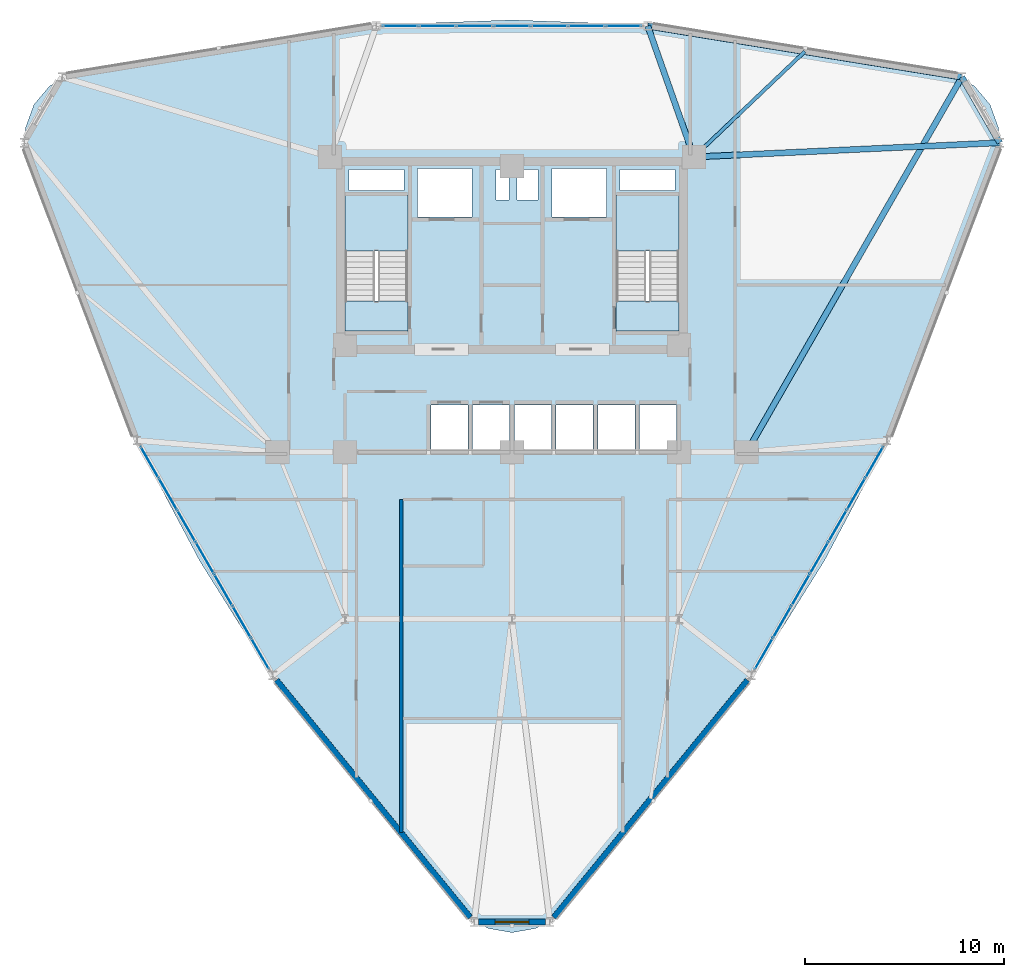
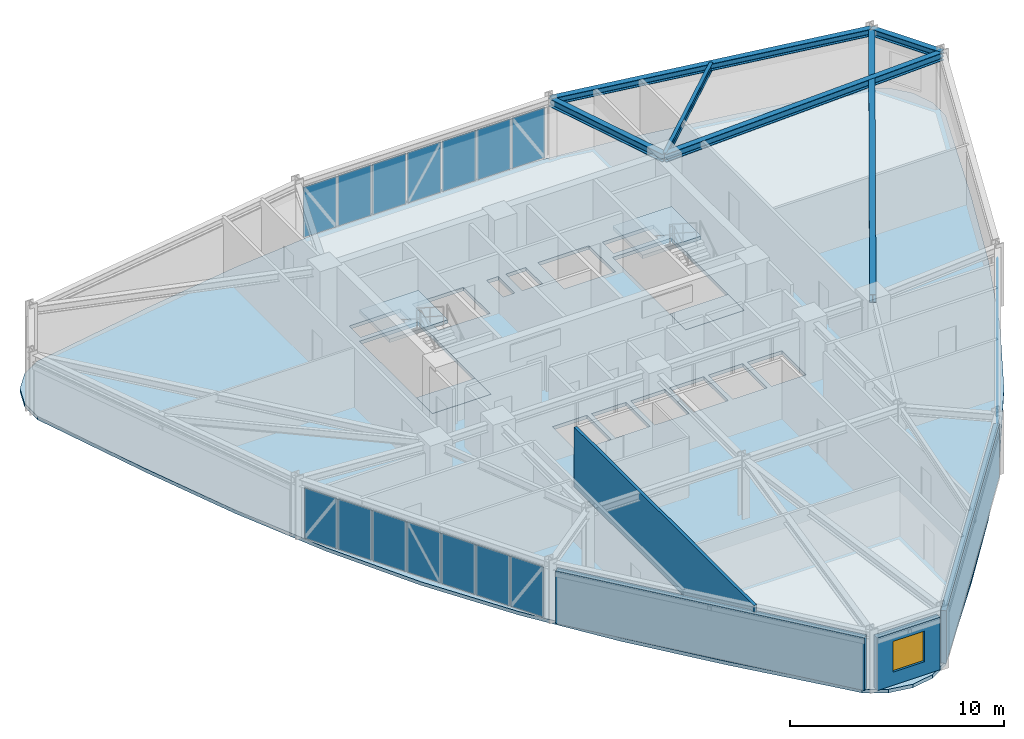
# One storey, part 9 of 17: 21 plates, 6 beams, 5 slabs, 4 walls, 1 window, 1 opening, 5 elements without a shape of their own.
"""IFC4 building model written with IfcOpenShell, lengths in metres."""

import ifcopenshell
import ifcopenshell.guid

model = None  # the IFC model being written
_history = None  # IfcOwnerHistory: only IFC2X3 demands one
_inside = {}  # id of a spatial element -> (the spatial element, [elements in it])
_under = {}  # id of a project, library or spatial element -> (it, [spatial elements below it])
_declared = {}  # id of a project -> (the project, [libraries it declares])
_typed = {}  # id of a type object -> (the type object, [elements of that type])
_made_of = {}  # id of a material, layer set ... -> (it, [elements and type objects made of it])


def new_model(schema):
    """Start an empty IFC model of exactly this schema.

    Asked for "IFC4X3", IfcOpenShell would pick the latest addendum, in which some entities
    have other attributes; the version numbers below select the first issue.
    IFC2X3 requires an IfcOwnerHistory on every rooted entity: one is made here for all.
    """
    global model, _history
    if schema == "IFC4X3":
        model = ifcopenshell.file(schema_version=(4, 3, 0, 0))
    else:
        model = ifcopenshell.file(schema=schema)
    _inside.clear()
    _under.clear()
    _declared.clear()
    _typed.clear()
    _made_of.clear()
    _history = None
    if model.schema == "IFC2X3":
        org = make("IfcOrganization", Name="unknown")
        user = make(
            "IfcPersonAndOrganization",
            ThePerson=make("IfcPerson", FamilyName="unknown"),
            TheOrganization=org,
        )
        app = make(
            "IfcApplication",
            ApplicationDeveloper=org,
            Version="unknown",
            ApplicationFullName="unknown",
            ApplicationIdentifier="unknown",
        )
        _history = make(
            "IfcOwnerHistory",
            OwningUser=user,
            OwningApplication=app,
            ChangeAction="ADDED",
            CreationDate=0,
        )
    return model


def make(cls, **values):
    """One entity of the class cls with the attributes given. An attribute that is None is left unset."""
    return model.create_entity(
        cls, **{name: value for name, value in values.items() if value is not None}
    )


def rooted(cls, **values):
    """An entity with a GlobalId (a new one), such as an element, a storey or a relation."""
    return make(cls, GlobalId=ifcopenshell.guid.new(), OwnerHistory=_history, **values)


def si_unit(unit_type, name, prefix=None):
    """IfcSIUnit, for example si_unit("LENGTHUNIT", "METRE", prefix="MILLI")."""
    return make("IfcSIUnit", UnitType=unit_type, Prefix=prefix, Name=name)


def derived_unit(unit_type, elements):
    """IfcDerivedUnit: a product of units, each with its exponent."""
    return make(
        "IfcDerivedUnit",
        Elements=[
            make("IfcDerivedUnitElement", Unit=unit, Exponent=power)
            for unit, power in elements
        ],
        UnitType=unit_type,
    )


def assignment(units):
    """IfcUnitAssignment: the units of a project."""
    return None if units is None else make("IfcUnitAssignment", Units=units)


def point(xyz):
    """IfcCartesianPoint."""
    return None if xyz is None else make("IfcCartesianPoint", Coordinates=xyz)


def direction(xyz):
    """IfcDirection."""
    return None if xyz is None else make("IfcDirection", DirectionRatios=xyz)


def frame(location, z_axis=None, x_axis=None):
    """IfcAxis2Placement3D, a coordinate frame: its origin and axes. An axis left out is left unset."""
    return make(
        "IfcAxis2Placement3D",
        Location=point(location),
        Axis=direction(z_axis),
        RefDirection=direction(x_axis),
    )


def frame_2d(location, x_axis=None):
    """IfcAxis2Placement2D, a coordinate frame in the plane: its origin and x axis."""
    return make(
        "IfcAxis2Placement2D", Location=point(location), RefDirection=direction(x_axis)
    )


def origin():
    """The frame at (0, 0, 0) with its axes left unset."""
    return frame((0.0, 0.0, 0.0))


def origin_2d():
    """The frame at (0, 0) in the plane with its x axis left unset."""
    return frame_2d((0.0, 0.0))


def place(relative_to, where):
    """IfcLocalPlacement: puts the frame where relative to a parent placement (None: the world)."""
    return make(
        "IfcLocalPlacement", PlacementRelTo=relative_to, RelativePlacement=where
    )


def context(
    kind, dimensions, precision=None, world=None, true_north=None, identifier=None
):
    """IfcGeometricRepresentationContext, for example the 3D "Model" context."""
    return make(
        "IfcGeometricRepresentationContext",
        ContextIdentifier=identifier,
        ContextType=kind,
        CoordinateSpaceDimension=dimensions,
        Precision=precision,
        WorldCoordinateSystem=world,
        TrueNorth=true_north,
    )


def subcontext(parent, identifier, kind, view, scale=None):
    """IfcGeometricRepresentationSubContext, for example "Body" below "Model"."""
    return make(
        "IfcGeometricRepresentationSubContext",
        ContextIdentifier=identifier,
        ContextType=kind,
        ParentContext=parent,
        TargetScale=scale,
        TargetView=view,
    )


def project(units=None, contexts=None):
    """IfcProject with its units and contexts."""
    return rooted(
        "IfcProject",
        Name="project",
        RepresentationContexts=contexts,
        UnitsInContext=assignment(units),
    )


def spatial(cls, under=None, at=None, **own):
    """A site, building, storey or space (cls), placed at a placement, below another one or the project."""
    s = rooted(cls, ObjectPlacement=at, **own)
    if under is not None:
        _under.setdefault(under.id(), (under, []))[1].append(s)
    return s


def polyline(points):
    """IfcPolyline through the points."""
    return make("IfcPolyline", Points=[point(p) for p in points])


def profile(cls, at=None, kind="AREA", **sizes):
    """A parametric profile (cls). Its sizes go by their IFC names, for example OverallWidth=200.0."""
    return make(cls, ProfileType=kind, Position=at, **sizes)


def rectangle(**sizes):
    """IfcRectangleProfileDef."""
    return profile("IfcRectangleProfileDef", **sizes)


def i_section(**sizes):
    """IfcIShapeProfileDef."""
    return profile("IfcIShapeProfileDef", **sizes)


def outline(outer, holes=None, kind="AREA"):
    """IfcArbitraryClosedProfileDef: a profile drawn as a closed curve; with holes, ...WithVoids."""
    if holes is None:
        return make("IfcArbitraryClosedProfileDef", ProfileType=kind, OuterCurve=outer)
    return make(
        "IfcArbitraryProfileDefWithVoids",
        ProfileType=kind,
        OuterCurve=outer,
        InnerCurves=holes,
    )


def extrude(swept, where, along, depth):
    """IfcExtrudedAreaSolid: the profile swept, set in the frame where, extruded along a direction by depth."""
    return make(
        "IfcExtrudedAreaSolid",
        SweptArea=swept,
        Position=where,
        ExtrudedDirection=direction(along),
        Depth=depth,
    )


def shape(context_of_items, identifier, shape_type, items):
    """IfcShapeRepresentation: the items that make up one representation, for example the "Body"."""
    return make(
        "IfcShapeRepresentation",
        ContextOfItems=context_of_items,
        RepresentationIdentifier=identifier,
        RepresentationType=shape_type,
        Items=items,
    )


def source(mapping_origin, context_of_items, identifier, shape_type, items):
    """IfcRepresentationMap: a shape defined once, which mapped items show again and again."""
    return make(
        "IfcRepresentationMap",
        MappingOrigin=mapping_origin,
        MappedRepresentation=shape(context_of_items, identifier, shape_type, items),
    )


def transform(
    local_origin,
    x_axis=None,
    y_axis=None,
    z_axis=None,
    scale=None,
    scale2=None,
    scale3=None,
    uniform=True,
):
    """IfcCartesianTransformationOperator3D, or its non-uniform kind. x_axis, y_axis, z_axis: its Axis1, 2, 3."""
    if uniform:
        return make(
            "IfcCartesianTransformationOperator3D",
            Axis1=direction(x_axis),
            Axis2=direction(y_axis),
            LocalOrigin=point(local_origin),
            Scale=scale,
            Axis3=direction(z_axis),
        )
    return make(
        "IfcCartesianTransformationOperator3DnonUniform",
        Axis1=direction(x_axis),
        Axis2=direction(y_axis),
        LocalOrigin=point(local_origin),
        Scale=scale,
        Axis3=direction(z_axis),
        Scale2=scale2,
        Scale3=scale3,
    )


def mapped(mapping_source, mapping_target):
    """IfcMappedItem: shows the shape of a source again, moved by a transform."""
    return make(
        "IfcMappedItem", MappingSource=mapping_source, MappingTarget=mapping_target
    )


def material(Name=None, Category=None):
    """IfcMaterial."""
    return make("IfcMaterial", Name=Name, Category=Category)


def layer(
    of_material, thickness, ventilated=None, Name=None, Category=None, Priority=None
):
    """IfcMaterialLayer: one layer of a wall or slab, of a material (None: an air gap)."""
    return make(
        "IfcMaterialLayer",
        Material=of_material,
        LayerThickness=thickness,
        IsVentilated=ventilated,
        Name=Name,
        Category=Category,
        Priority=Priority,
    )


def layer_set(layers, Name=None):
    """IfcMaterialLayerSet."""
    return make("IfcMaterialLayerSet", MaterialLayers=layers, LayerSetName=Name)


def material_profile(
    of_material, cross_section, Name=None, Category=None, Priority=None
):
    """IfcMaterialProfile: a cross section and its material."""
    return make(
        "IfcMaterialProfile",
        Name=Name,
        Material=of_material,
        Profile=cross_section,
        Priority=Priority,
        Category=Category,
    )


def profile_set(profiles, Name=None, composite=None):
    """IfcMaterialProfileSet."""
    return make(
        "IfcMaterialProfileSet",
        Name=Name,
        MaterialProfiles=profiles,
        CompositeProfile=composite,
    )


def made_of(thing, what):
    """Note that an element or type object is made of a material, layer set ...; save() writes the relation."""
    if what is not None:
        _made_of.setdefault(what.id(), (what, []))[1].append(thing)
    return thing


def type_object(cls, material=None, **own):
    """A type object (cls), such as IfcWallType, which elements share."""
    return made_of(rooted(cls, **own), material)


def element(
    cls,
    number,
    at=None,
    inside=None,
    cuts=None,
    type_object=None,
    material=None,
    context=None,
    identifier="Body",
    shape_type=None,
    held_by="IfcProductDefinitionShape",
    body=None,
    shapes=None,
    **own,
):
    """One element of the class cls, such as IfcWall. Its Tag is "e" and its number.

    at: its placement. inside: the storey or other place that contains it. cuts: it is an
    opening in that element (IfcRelVoidsElement). A single representation is given by context,
    identifier, shape_type and body (its items); several are given by shapes. held_by: the class
    of the entity that holds the representations. save() writes the other relations.
    """
    e = rooted(cls, Tag="e%d" % number, ObjectPlacement=at, **own)
    if body is not None:
        shapes = [shape(context, identifier, shape_type, body)]
    if shapes is not None:
        e.Representation = make(held_by, Representations=shapes)
    if inside is not None:
        _inside.setdefault(inside.id(), (inside, []))[1].append(e)
    if cuts is not None:
        rooted(
            "IfcRelVoidsElement", RelatingBuildingElement=cuts, RelatedOpeningElement=e
        )
    if type_object is not None:
        _typed.setdefault(type_object.id(), (type_object, []))[1].append(e)
    return made_of(e, material)


def fill(opening, filler):
    """IfcRelFillsElement: the door or window that sits in an opening."""
    return rooted(
        "IfcRelFillsElement",
        RelatingOpeningElement=opening,
        RelatedBuildingElement=filler,
    )


def aggregate(whole, parts):
    """IfcRelAggregates: a whole, such as a stair, and the parts it consists of."""
    return rooted("IfcRelAggregates", RelatingObject=whole, RelatedObjects=parts)


def save(model, path):
    """Write the relations noted so far, then the file.

    IfcRelAggregates (storeys below a building ...), IfcRelContainedInSpatialStructure (elements
    in a storey), IfcRelDefinesByType, IfcRelAssociatesMaterial and IfcRelDeclares: one each for
    every whole, place, type object, material and project.
    """
    for whole, parts in _under.values():
        aggregate(whole, parts)
    for where, things in _inside.values():
        rooted(
            "IfcRelContainedInSpatialStructure",
            RelatedElements=things,
            RelatingStructure=where,
        )
    for kind, things in _typed.values():
        rooted("IfcRelDefinesByType", RelatedObjects=things, RelatingType=kind)
    for what, things in _made_of.values():
        rooted("IfcRelAssociatesMaterial", RelatedObjects=things, RelatingMaterial=what)
    for by, libraries in _declared.values():
        rooted("IfcRelDeclares", RelatingContext=by, RelatedDefinitions=libraries)
    model.write(path)


model = new_model("IFC4")

# Units and contexts
model_context = context("Model", 3, precision=1e-05, world=origin(), true_north=direction((0.0, 1.0)))
body_context = subcontext(model_context, "Body", "Model", "MODEL_VIEW")
ifc_project = project(units=[si_unit("LENGTHUNIT", "METRE"), si_unit("AREAUNIT", "SQUARE_METRE"), si_unit("VOLUMEUNIT", "CUBIC_METRE"), si_unit("PLANEANGLEUNIT", "RADIAN"), si_unit("MASSUNIT", "GRAM", prefix="KILO"), derived_unit("THERMALTRANSMITTANCEUNIT", [(si_unit("POWERUNIT", "WATT"), 1), (si_unit("LENGTHUNIT", "METRE"), -2), (si_unit("THERMODYNAMICTEMPERATUREUNIT", "KELVIN"), -1)])], contexts=[model_context])

# Site, building, storey
site_placement = place(None, origin())
site = spatial("IfcSite", under=ifc_project, at=site_placement, CompositionType="ELEMENT")
building_placement = place(site_placement, origin())
building = spatial("IfcBuilding", under=site, at=building_placement, Name="Korsvarv Bourse and Concert Hall", CompositionType="ELEMENT")
storey_placement = place(building_placement, frame((0.0, 0.0, 120.60009765625)))
storey = spatial("IfcBuildingStorey", under=building, at=storey_placement, Name="L30", CompositionType="ELEMENT", Elevation=120.60009765625)

# Beams
ifc_material_1 = material(Name="Steel S355", Category="steel")
ifc_material_profile_1 = material_profile(ifc_material_1, i_section(OverallWidth=0.300048828125, OverallDepth=0.39990234375, WebThickness=0.013427734375, FlangeThickness=0.02392578125, FilletRadius=0.02099609375, at=origin_2d()), Name="HEB 400")
ifc_profile_set_1 = profile_set([ifc_material_profile_1], Name="Steel S355")
beam_type_1 = type_object("IfcBeamType", Name="BM-HEB400", PredefinedType="SPANDREL", material=ifc_profile_set_1)
shared_shape_1 = source(origin(), body_context, "Body", "SweptSolid", [
    extrude(i_section(OverallWidth=0.300048828125, OverallDepth=0.39990234375, WebThickness=0.013427734375, FlangeThickness=0.02392578125, FilletRadius=0.02099609375, at=origin_2d()), origin(), (0.0, 0.0, 1.0), 3.81591796875),
])
beam_1_placement = place(storey_placement, frame((60.541748046875, 47.966064453125, 3.199951171875), z_axis=(-0.499999364504, 0.866025770688, 0.0), x_axis=(-0.866025770688, -0.499999364504, 0.0)))
element("IfcBeam", 1, at=beam_1_placement, inside=storey, type_object=beam_type_1, Name="L30 beam B-09", PredefinedType="SPANDREL", context=body_context, shape_type="MappedRepresentation", body=[
    mapped(shared_shape_1, transform((0.0, 0.0, 0.0), scale=1.0)),
])
shared_shape_2 = source(origin(), body_context, "Body", "SweptSolid", [
    extrude(i_section(OverallWidth=0.300048828125, OverallDepth=0.39990234375, WebThickness=0.013427734375, FlangeThickness=0.02392578125, FilletRadius=0.02099609375, at=origin_2d()), origin(), (0.0, 0.0, 1.0), 16.014892578125),
])
beam_2_placement = place(storey_placement, frame((58.6337890625, 51.270751953125, 3.199951171875), z_axis=(-0.98703396265, 0.160511546547, 0.0), x_axis=(-0.160511546547, -0.98703396265, 0.0)))
element("IfcBeam", 2, at=beam_2_placement, inside=storey, type_object=beam_type_1, Name="L30 beam B-09", PredefinedType="SPANDREL", context=body_context, shape_type="MappedRepresentation", body=[
    mapped(shared_shape_2, transform((0.0, 0.0, 0.0), scale=1.0)),
])
ifc_material_profile_2 = material_profile(ifc_material_1, i_section(OverallWidth=0.300048828125, OverallDepth=0.449951171875, WebThickness=0.013916015625, FlangeThickness=0.02587890625, FilletRadius=0.02099609375, at=origin_2d()), Name="HEB 450")
ifc_profile_set_2 = profile_set([ifc_material_profile_2], Name="Steel S355")
beam_type_2 = type_object("IfcBeamType", Name="BM-HEB450", PredefinedType="SPANDREL", material=ifc_profile_set_2)
shared_shape_3 = source(origin(), body_context, "Body", "SweptSolid", [
    extrude(i_section(OverallWidth=0.300048828125, OverallDepth=0.449951171875, WebThickness=0.013916015625, FlangeThickness=0.02587890625, FilletRadius=0.02099609375, at=origin_2d()), origin(), (0.0, 0.0, 1.0), 15.408447265625),
])
beam_3_placement = place(storey_placement, frame((60.541748046875, 47.966064453125, 3.1748046875), z_axis=(-0.998919590077, -0.046472062141, 0.0), x_axis=(0.046472062141, -0.998919590077, 0.0)))
element("IfcBeam", 3, at=beam_3_placement, inside=storey, type_object=beam_type_2, Name="L30 beam B-08", PredefinedType="SPANDREL", context=body_context, shape_type="MappedRepresentation", body=[
    mapped(shared_shape_3, transform((0.0, 0.0, 0.0), scale=1.0)),
])
shared_shape_4 = source(origin(), body_context, "Body", "SweptSolid", [
    extrude(i_section(OverallWidth=0.300048828125, OverallDepth=0.449951171875, WebThickness=0.013916015625, FlangeThickness=0.02587890625, FilletRadius=0.02099609375, at=origin_2d()), origin(), (0.0, 0.0, 1.0), 21.759521484375),
])
beam_4_placement = place(storey_placement, frame((58.6337890625, 51.270751953125, 3.1748046875), z_axis=(-0.497883927271, -0.867243676809, 0.0), x_axis=(0.867243676809, -0.497883927271, 0.0)))
element("IfcBeam", 4, at=beam_4_placement, inside=storey, type_object=beam_type_2, Name="L30 beam B-08", PredefinedType="SPANDREL", context=body_context, shape_type="MappedRepresentation", body=[
    mapped(shared_shape_4, transform((0.0, 0.0, 0.0), scale=1.0)),
])
shared_shape_5 = source(origin(), body_context, "Body", "SweptSolid", [
    extrude(i_section(OverallWidth=0.300048828125, OverallDepth=0.449951171875, WebThickness=0.013916015625, FlangeThickness=0.02587890625, FilletRadius=0.02099609375, at=origin_2d()), origin(), (0.0, 0.0, 1.0), 6.98876953125),
])
beam_5_placement = place(storey_placement, frame((42.82666015625, 53.84130859375, 3.1748046875), z_axis=(0.332425395901, -0.943129554282, 0.0), x_axis=(0.943129554282, 0.332425395901, 0.0)))
element("IfcBeam", 5, at=beam_5_placement, inside=storey, type_object=beam_type_2, Name="L30 beam B-08", PredefinedType="SPANDREL", context=body_context, shape_type="MappedRepresentation", body=[
    mapped(shared_shape_5, transform((0.0, 0.0, 0.0), scale=1.0)),
])
ifc_material_profile_3 = material_profile(ifc_material_1, i_section(OverallWidth=0.179931640625, OverallDepth=0.39990234375, WebThickness=0.008544921875, FlangeThickness=0.013427734375, FilletRadius=0.02099609375, at=origin_2d()), Name="IPE 400")
ifc_profile_set_3 = profile_set([ifc_material_profile_3], Name="Steel S355")
beam_type_3 = type_object("IfcBeamType", Name="BM-IPE400", PredefinedType="JOIST", material=ifc_profile_set_3)
shared_shape_6 = source(origin(), body_context, "Body", "SweptSolid", [
    extrude(i_section(OverallWidth=0.179931640625, OverallDepth=0.39990234375, WebThickness=0.008544921875, FlangeThickness=0.013427734375, FilletRadius=0.02099609375, at=origin_2d()), origin(), (0.0, 0.0, 1.0), 7.7001953125),
])
beam_6_placement = place(storey_placement, frame((50.730224609375, 52.555908203125, 3.199951171875), z_axis=(-0.724700930446, -0.689063539458, 0.0), x_axis=(0.689063539458, -0.724700930446, 0.0)))
element("IfcBeam", 6, at=beam_6_placement, inside=storey, type_object=beam_type_3, Name="L30 beam J-05", PredefinedType="JOIST", context=body_context, shape_type="MappedRepresentation", body=[
    mapped(shared_shape_6, transform((0.0, 0.0, 0.0), scale=1.0)),
])

# Slabs
ifc_material_2 = material(Name="Precast concrete C45/55", Category="concrete")
ifc_layer_1 = layer(ifc_material_2, 0.199951171875)
ifc_layer_set_1 = layer_set([ifc_layer_1], Name="Precast concrete C45/55")
slab_type_1 = type_object("IfcSlabType", Name="SLB-FLND-T", PredefinedType="LANDING", material=ifc_layer_set_1)
slab_1_placement = place(storey_placement, frame((0.0, 0.0, -0.2001953125)))
element("IfcSlab", 7, at=slab_1_placement, inside=storey, type_object=slab_type_1, Name="L30 Stair ST-T1 Floor Landing Slab", PredefinedType="LANDING", context=body_context, shape_type="SweptSolid", body=[
    extrude(outline(polyline([(30.760009765625, 38.5), (30.760009765625, 40.0), (27.60009765625, 40.0), (27.60009765625, 38.5), (30.760009765625, 38.5)])), origin(), (0.0, 0.0, 1.0), 0.2001953125),
])
slab_2_placement = place(storey_placement, frame((0.0, 0.0, -0.2001953125)))
element("IfcSlab", 8, at=slab_2_placement, inside=storey, type_object=slab_type_1, Name="L30 Stair ST-T2 Floor Landing Slab", PredefinedType="LANDING", context=body_context, shape_type="SweptSolid", body=[
    extrude(outline(polyline([(44.39990234375, 38.5), (44.39990234375, 40.0), (41.239990234375, 40.0), (41.239990234375, 38.5), (44.39990234375, 38.5)])), origin(), (0.0, 0.0, 1.0), 0.2001953125),
])

# Stair, slab
stair_type = type_object("IfcStairType", Name="STR-TYPE-04", PredefinedType="HALF_TURN_STAIR", material=ifc_material_2)
stair_1_placement = place(storey_placement, origin())
stair_1 = element("IfcStair", 9, at=stair_1_placement, inside=storey, type_object=stair_type, Name="L30 Tower West Exit Stair ST-T1", PredefinedType="HALF_TURN_STAIR")
ifc_layer_2 = layer(ifc_material_2, 0.199951171875)
ifc_layer_set_2 = layer_set([ifc_layer_2], Name="Precast concrete C45/55")
slab_type_2 = type_object("IfcSlabType", Name="SLB-ST-LND", PredefinedType="LANDING", material=ifc_layer_set_2)
slab_3_placement = place(storey_placement, frame((0.0, 0.0, 1.599853515625)))
slab_3 = element("IfcSlab", 10, at=slab_3_placement, type_object=slab_type_2, Name="ST-T1 landing 1", PredefinedType="LANDING", context=body_context, shape_type="SweptSolid", body=[
    extrude(outline(polyline([(30.760009765625, 42.52001953125), (30.760009765625, 45.300048828125), (27.60009765625, 45.300048828125), (27.60009765625, 42.52001953125), (30.760009765625, 42.52001953125)])), origin(), (0.0, 0.0, 1.0), 0.199951171875),
])
aggregate(stair_1, [slab_3])

stair_2_placement = place(storey_placement, origin())
stair_2 = element("IfcStair", 11, at=stair_2_placement, inside=storey, type_object=stair_type, Name="L30 Tower East Exit Stair ST-T2", PredefinedType="HALF_TURN_STAIR")
slab_4_placement = place(storey_placement, frame((0.0, 0.0, 1.599853515625)))
slab_4 = element("IfcSlab", 12, at=slab_4_placement, type_object=slab_type_2, Name="ST-T2 landing 1", PredefinedType="LANDING", context=body_context, shape_type="SweptSolid", body=[
    extrude(outline(polyline([(44.39990234375, 42.52001953125), (44.39990234375, 45.300048828125), (41.239990234375, 45.300048828125), (41.239990234375, 42.52001953125), (44.39990234375, 42.52001953125)])), origin(), (0.0, 0.0, 1.0), 0.199951171875),
])
aggregate(stair_2, [slab_4])

# Slab
ifc_material_3 = material(Name="Concrete C45/55", Category="concrete")
ifc_layer_3 = layer(ifc_material_3, 0.199951171875)
ifc_layer_set_3 = layer_set([ifc_layer_3], Name="Concrete C45/55")
slab_type_3 = type_object("IfcSlabType", Name="SLB-TW2", PredefinedType="FLOOR", material=ifc_layer_set_3)
slab_5_placement = place(storey_placement, frame((0.0, 0.0, -0.2001953125)))
element("IfcSlab", 13, at=slab_5_placement, inside=storey, type_object=slab_type_3, Name="L30 tower structural floor slab", PredefinedType="FLOOR", context=body_context, shape_type="SweptSolid", body=[
    extrude(outline(polyline([(59.994140625, 46.2314453125), (58.197265625, 41.2158203125), (56.282958984375, 36.29345703125), (54.14501953125, 31.52001953125), (51.7109375, 26.92919921875), (48.9521484375, 22.52587890625), (45.887451171875, 18.287841796875), (42.58154296875, 14.168701171875), (39.13623046875, 10.104736328125), (39.133544921875, 10.101318359375), (38.251708984375, 9.050537109375), (37.197998046875, 8.442138671875), (36.0, 8.23095703125), (34.802001953125, 8.442138671875), (33.748291015625, 9.050537109375), (32.866455078125, 10.101318359375), (32.86376953125, 10.104736328125), (29.41845703125, 14.168701171875), (26.112548828125, 18.287841796875), (23.0478515625, 22.52587890625), (20.2890625, 26.92919921875), (17.85498046875, 31.52001953125), (15.717041015625, 36.29345703125), (13.802734375, 41.2158203125), (12.005859375, 46.2314453125), (12.00439453125, 46.235595703125), (11.53515625, 47.524658203125), (11.53515625, 48.7412109375), (11.951416015625, 49.884521484375), (12.7333984375, 50.81640625), (13.786865234375, 51.4248046875), (15.1376953125, 51.6630859375), (15.14208984375, 51.663818359375), (20.384521484375, 52.615478515625), (25.6044921875, 53.4189453125), (30.807373046875, 53.953857421875), (36.0, 54.141357421875), (41.192626953125, 53.953857421875), (46.3955078125, 53.4189453125), (51.615478515625, 52.615478515625), (56.85791015625, 51.663818359375), (56.8623046875, 51.6630859375), (58.213134765625, 51.4248046875), (59.2666015625, 50.81640625), (60.048583984375, 49.884521484375), (60.46484375, 48.7412109375), (60.46484375, 47.524658203125), (59.99560546875, 46.235595703125), (59.994140625, 46.2314453125)]), holes=[polyline([(30.760009765625, 38.5), (30.760009765625, 45.300048828125), (27.60009765625, 45.300048828125), (27.60009765625, 38.5), (30.760009765625, 38.5)]), polyline([(44.39990234375, 38.5), (44.39990234375, 45.300048828125), (41.239990234375, 45.300048828125), (41.239990234375, 38.5), (44.39990234375, 38.5)]), polyline([(31.239990234375, 44.219970703125), (34.0, 44.219970703125), (34.0, 46.679931640625), (31.239990234375, 46.679931640625), (31.239990234375, 44.219970703125)]), polyline([(38.0, 44.219970703125), (40.760009765625, 44.219970703125), (40.760009765625, 46.679931640625), (38.0, 46.679931640625), (38.0, 44.219970703125)]), polyline([(31.919921875, 32.52001953125), (33.780029296875, 32.52001953125), (33.780029296875, 34.780029296875), (31.919921875, 34.780029296875), (31.919921875, 32.52001953125)]), polyline([(34.02001953125, 32.52001953125), (35.8798828125, 32.52001953125), (35.8798828125, 34.780029296875), (34.02001953125, 34.780029296875), (34.02001953125, 32.52001953125)]), polyline([(36.1201171875, 32.52001953125), (37.97998046875, 32.52001953125), (37.97998046875, 34.780029296875), (36.1201171875, 34.780029296875), (36.1201171875, 32.52001953125)]), polyline([(38.219970703125, 32.52001953125), (40.080078125, 32.52001953125), (40.080078125, 34.780029296875), (38.219970703125, 34.780029296875), (38.219970703125, 32.52001953125)]), polyline([(40.320068359375, 32.52001953125), (42.179931640625, 32.52001953125), (42.179931640625, 34.780029296875), (40.320068359375, 34.780029296875), (40.320068359375, 32.52001953125)]), polyline([(42.419921875, 32.52001953125), (44.280029296875, 32.52001953125), (44.280029296875, 34.780029296875), (42.419921875, 34.780029296875), (42.419921875, 32.52001953125)]), polyline([(27.800048828125, 45.56005859375), (30.56005859375, 45.56005859375), (30.56005859375, 46.6201171875), (27.800048828125, 46.6201171875), (27.800048828125, 45.56005859375)]), polyline([(41.43994140625, 45.56005859375), (44.199951171875, 45.56005859375), (44.199951171875, 46.6201171875), (41.43994140625, 46.6201171875), (41.43994140625, 45.56005859375)]), polyline([(35.199951171875, 45.080078125), (35.840087890625, 45.080078125), (35.840087890625, 46.6201171875), (35.199951171875, 46.6201171875), (35.199951171875, 45.080078125)]), polyline([(36.239990234375, 45.080078125), (37.320068359375, 45.080078125), (37.320068359375, 46.6201171875), (36.239990234375, 46.6201171875), (36.239990234375, 45.080078125)])]), origin(), (0.0, 0.0, 1.0), 0.2001953125),
])

# Curtain wall, plates
ifc_material_4 = material(Name="Anodised aluminium and triple low-E glazing", Category="glass")
ifc_layer_4 = layer(ifc_material_4, 0.2099609375)
ifc_layer_set_4 = layer_set([ifc_layer_4], Name="Anodised aluminium and triple low-E glazing")
curtain_wall_type = type_object("IfcCurtainWallType", Name="CW-SYS-2", PredefinedType="NOTDEFINED", material=ifc_layer_set_4)
curtain_wall_1_placement = place(storey_placement, origin())
curtain_wall_1 = element("IfcCurtainWall", 14, at=curtain_wall_1_placement, inside=storey, type_object=curtain_wall_type, Name="L30 CW2 curtain wall CW-L30-F03", PredefinedType="NOTDEFINED")
ifc_material_5 = material(Name="Insulated spandrel glass", Category="glass")
ifc_layer_5 = layer(ifc_material_5, 0.031982421875)
ifc_layer_set_5 = layer_set([ifc_layer_5], Name="Insulated spandrel glass")
plate_type_1 = type_object("IfcPlateType", Name="CWP-SPD1", PredefinedType="CURTAIN_PANEL", material=ifc_layer_set_5)
shared_shape_7 = source(origin(), body_context, "Body", "SweptSolid", [
    extrude(rectangle(XDim=1.771484375, YDim=0.031982421875, at=origin_2d()), origin(), (0.0, 0.0, 1.0), 2.8701171875),
])
plate_1_placement = place(storey_placement, frame((41.612060546875, 53.84130859375, 0.06494140625), z_axis=(0.0, 0.0, 1.0), x_axis=(-1.0, 0.0, 0.0)))
plate_1 = element("IfcPlate", 15, at=plate_1_placement, type_object=plate_type_1, Name="CW2 spandrel shadow-box panel 1.1", PredefinedType="CURTAIN_PANEL", context=body_context, shape_type="MappedRepresentation", body=[
    mapped(shared_shape_7, transform((0.0, 0.0, 0.0), scale=1.0)),
])
plate_2_placement = place(storey_placement, frame((30.387939453125, 53.84130859375, 0.06494140625), z_axis=(0.0, 0.0, 1.0), x_axis=(-1.0, 0.0, 0.0)))
plate_2 = element("IfcPlate", 16, at=plate_2_placement, type_object=plate_type_1, Name="CW2 spandrel shadow-box panel 7.1", PredefinedType="CURTAIN_PANEL", context=body_context, shape_type="MappedRepresentation", body=[
    mapped(shared_shape_7, transform((0.0, 0.0, 0.0), scale=1.0)),
])
ifc_material_6 = material(Name="Tempered triple insulated low-E architectural glass", Category="glass")
ifc_layer_6 = layer(ifc_material_6, 0.0380859375)
ifc_layer_set_6 = layer_set([ifc_layer_6], Name="Tempered triple insulated low-E architectural glass")
plate_type_2 = type_object("IfcPlateType", Name="CWP-VIS2", PredefinedType="CURTAIN_PANEL", material=ifc_layer_set_6)
shared_shape_8 = source(origin(), body_context, "Body", "SweptSolid", [
    extrude(rectangle(XDim=1.806396484375, YDim=0.0380859375, at=origin_2d()), origin(), (0.0, 0.0, 1.0), 2.8701171875),
])
plate_3_placement = place(storey_placement, frame((39.7529296875, 53.84130859375, 0.06494140625), z_axis=(0.0, 0.0, 1.0), x_axis=(-1.0, 0.0, 0.0)))
plate_3 = element("IfcPlate", 17, at=plate_3_placement, type_object=plate_type_2, Name="CW2 faceted panel 2.1", PredefinedType="CURTAIN_PANEL", context=body_context, shape_type="MappedRepresentation", body=[
    mapped(shared_shape_8, transform((0.0, 0.0, 0.0), scale=1.0)),
])
plate_4_placement = place(storey_placement, frame((37.87646484375, 53.84130859375, 0.06494140625), z_axis=(0.0, 0.0, 1.0), x_axis=(-1.0, 0.0, 0.0)))
plate_4 = element("IfcPlate", 18, at=plate_4_placement, type_object=plate_type_2, Name="CW2 faceted panel 3.1", PredefinedType="CURTAIN_PANEL", context=body_context, shape_type="MappedRepresentation", body=[
    mapped(shared_shape_8, transform((0.0, 0.0, 0.0), scale=1.0)),
])
plate_5_placement = place(storey_placement, frame((34.12353515625, 53.84130859375, 0.06494140625), z_axis=(0.0, 0.0, 1.0), x_axis=(-1.0, 0.0, 0.0)))
plate_5 = element("IfcPlate", 19, at=plate_5_placement, type_object=plate_type_2, Name="CW2 faceted panel 5.1", PredefinedType="CURTAIN_PANEL", context=body_context, shape_type="MappedRepresentation", body=[
    mapped(shared_shape_8, transform((0.0, 0.0, 0.0), scale=1.0)),
])
plate_6_placement = place(storey_placement, frame((32.2470703125, 53.84130859375, 0.06494140625), z_axis=(0.0, 0.0, 1.0), x_axis=(-1.0, 0.0, 0.0)))
plate_6 = element("IfcPlate", 20, at=plate_6_placement, type_object=plate_type_2, Name="CW2 faceted panel 6.1", PredefinedType="CURTAIN_PANEL", context=body_context, shape_type="MappedRepresentation", body=[
    mapped(shared_shape_8, transform((0.0, 0.0, 0.0), scale=1.0)),
])
shared_shape_9 = source(origin(), body_context, "Body", "SweptSolid", [
    extrude(rectangle(XDim=1.806396484375, YDim=0.031982421875, at=origin_2d()), origin(), (0.0, 0.0, 1.0), 2.8701171875),
])
plate_7_placement = place(storey_placement, frame((36.0, 53.84130859375, 0.06494140625), z_axis=(0.0, 0.0, 1.0), x_axis=(-1.0, 0.0, 0.0)))
plate_7 = element("IfcPlate", 21, at=plate_7_placement, type_object=plate_type_1, Name="CW2 spandrel shadow-box panel 4.1", PredefinedType="CURTAIN_PANEL", context=body_context, shape_type="MappedRepresentation", body=[
    mapped(shared_shape_9, transform((0.0, 0.0, 0.0), scale=1.0)),
])
aggregate(curtain_wall_1, [plate_1, plate_3, plate_4, plate_7, plate_5, plate_6, plate_2])

curtain_wall_2_placement = place(storey_placement, origin())
curtain_wall_2 = element("IfcCurtainWall", 22, at=curtain_wall_2_placement, inside=storey, type_object=curtain_wall_type, Name="L30 CW2 curtain wall CW-L30-F07", PredefinedType="NOTDEFINED")
shared_shape_10 = source(origin(), body_context, "Body", "SweptSolid", [
    extrude(rectangle(XDim=1.75390625, YDim=0.031982421875, at=origin_2d()), origin(), (0.0, 0.0, 1.0), 2.8701171875),
])
plate_8_placement = place(storey_placement, frame((17.769287109375, 31.893798828125, 0.06494140625), z_axis=(0.0, 0.0, 1.0), x_axis=(0.500007166863, -0.866021265954, 0.0)))
plate_8 = element("IfcPlate", 23, at=plate_8_placement, type_object=plate_type_1, Name="CW2 spandrel shadow-box panel 1.1", PredefinedType="CURTAIN_PANEL", context=body_context, shape_type="MappedRepresentation", body=[
    mapped(shared_shape_10, transform((0.0, 0.0, 0.0), scale=1.0)),
])
plate_9_placement = place(storey_placement, frame((23.328857421875, 22.264892578125, 0.06494140625), z_axis=(0.0, 0.0, 1.0), x_axis=(0.500007166863, -0.866021265954, 0.0)))
plate_9 = element("IfcPlate", 24, at=plate_9_placement, type_object=plate_type_1, Name="CW2 spandrel shadow-box panel 7.1", PredefinedType="CURTAIN_PANEL", context=body_context, shape_type="MappedRepresentation", body=[
    mapped(shared_shape_10, transform((0.0, 0.0, 0.0), scale=1.0)),
])

curtain_wall_3_placement = place(storey_placement, origin())
curtain_wall_3 = element("IfcCurtainWall", 25, at=curtain_wall_3_placement, inside=storey, type_object=curtain_wall_type, Name="L30 CW2 curtain wall CW-L30-F11", PredefinedType="NOTDEFINED")
plate_10_placement = place(storey_placement, frame((48.671142578125, 22.264892578125, 0.06494140625), z_axis=(0.0, 0.0, 1.0), x_axis=(0.500007166863, 0.866021265954, 0.0)))
plate_10 = element("IfcPlate", 26, at=plate_10_placement, type_object=plate_type_1, Name="CW2 spandrel shadow-box panel 1.1", PredefinedType="CURTAIN_PANEL", context=body_context, shape_type="MappedRepresentation", body=[
    mapped(shared_shape_10, transform((0.0, 0.0, 0.0), scale=1.0)),
])
plate_11_placement = place(storey_placement, frame((54.230712890625, 31.893798828125, 0.06494140625), z_axis=(0.0, 0.0, 1.0), x_axis=(0.500007166863, 0.866021265954, 0.0)))
plate_11 = element("IfcPlate", 27, at=plate_11_placement, type_object=plate_type_1, Name="CW2 spandrel shadow-box panel 7.1", PredefinedType="CURTAIN_PANEL", context=body_context, shape_type="MappedRepresentation", body=[
    mapped(shared_shape_10, transform((0.0, 0.0, 0.0), scale=1.0)),
])

# Plate
shared_shape_11 = source(origin(), body_context, "Body", "SweptSolid", [
    extrude(rectangle(XDim=1.7890625, YDim=0.0380859375, at=origin_2d()), origin(), (0.0, 0.0, 1.0), 2.8701171875),
])
plate_12_placement = place(storey_placement, frame((18.690185546875, 30.299072265625, 0.06494140625), z_axis=(0.0, 0.0, 1.0), x_axis=(0.500007166863, -0.866021265954, 0.0)))
plate_12 = element("IfcPlate", 28, at=plate_12_placement, type_object=plate_type_2, Name="CW2 faceted panel 2.1", PredefinedType="CURTAIN_PANEL", context=body_context, shape_type="MappedRepresentation", body=[
    mapped(shared_shape_11, transform((0.0, 0.0, 0.0), scale=1.0)),
])

plate_13_placement = place(storey_placement, frame((19.61962890625, 28.689208984375, 0.06494140625), z_axis=(0.0, 0.0, 1.0), x_axis=(0.500007166863, -0.866021265954, 0.0)))
plate_13 = element("IfcPlate", 29, at=plate_13_placement, type_object=plate_type_2, Name="CW2 faceted panel 3.1", PredefinedType="CURTAIN_PANEL", context=body_context, shape_type="MappedRepresentation", body=[
    mapped(shared_shape_11, transform((0.0, 0.0, 0.0), scale=1.0)),
])

plate_14_placement = place(storey_placement, frame((21.478515625, 25.469482421875, 0.06494140625), z_axis=(0.0, 0.0, 1.0), x_axis=(0.500007166863, -0.866021265954, 0.0)))
plate_14 = element("IfcPlate", 30, at=plate_14_placement, type_object=plate_type_2, Name="CW2 faceted panel 5.1", PredefinedType="CURTAIN_PANEL", context=body_context, shape_type="MappedRepresentation", body=[
    mapped(shared_shape_11, transform((0.0, 0.0, 0.0), scale=1.0)),
])

plate_15_placement = place(storey_placement, frame((22.407958984375, 23.859619140625, 0.06494140625), z_axis=(0.0, 0.0, 1.0), x_axis=(0.500007166863, -0.866021265954, 0.0)))
plate_15 = element("IfcPlate", 31, at=plate_15_placement, type_object=plate_type_2, Name="CW2 faceted panel 6.1", PredefinedType="CURTAIN_PANEL", context=body_context, shape_type="MappedRepresentation", body=[
    mapped(shared_shape_11, transform((0.0, 0.0, 0.0), scale=1.0)),
])

plate_16_placement = place(storey_placement, frame((49.592041015625, 23.859619140625, 0.06494140625), z_axis=(0.0, 0.0, 1.0), x_axis=(0.500007166863, 0.866021265954, 0.0)))
plate_16 = element("IfcPlate", 32, at=plate_16_placement, type_object=plate_type_2, Name="CW2 faceted panel 2.1", PredefinedType="CURTAIN_PANEL", context=body_context, shape_type="MappedRepresentation", body=[
    mapped(shared_shape_11, transform((0.0, 0.0, 0.0), scale=1.0)),
])

plate_17_placement = place(storey_placement, frame((50.521484375, 25.469482421875, 0.06494140625), z_axis=(0.0, 0.0, 1.0), x_axis=(0.500007166863, 0.866021265954, 0.0)))
plate_17 = element("IfcPlate", 33, at=plate_17_placement, type_object=plate_type_2, Name="CW2 faceted panel 3.1", PredefinedType="CURTAIN_PANEL", context=body_context, shape_type="MappedRepresentation", body=[
    mapped(shared_shape_11, transform((0.0, 0.0, 0.0), scale=1.0)),
])

plate_18_placement = place(storey_placement, frame((52.38037109375, 28.689208984375, 0.06494140625), z_axis=(0.0, 0.0, 1.0), x_axis=(0.500007166863, 0.866021265954, 0.0)))
plate_18 = element("IfcPlate", 34, at=plate_18_placement, type_object=plate_type_2, Name="CW2 faceted panel 5.1", PredefinedType="CURTAIN_PANEL", context=body_context, shape_type="MappedRepresentation", body=[
    mapped(shared_shape_11, transform((0.0, 0.0, 0.0), scale=1.0)),
])

plate_19_placement = place(storey_placement, frame((53.309814453125, 30.299072265625, 0.06494140625), z_axis=(0.0, 0.0, 1.0), x_axis=(0.500007166863, 0.866021265954, 0.0)))
plate_19 = element("IfcPlate", 35, at=plate_19_placement, type_object=plate_type_2, Name="CW2 faceted panel 6.1", PredefinedType="CURTAIN_PANEL", context=body_context, shape_type="MappedRepresentation", body=[
    mapped(shared_shape_11, transform((0.0, 0.0, 0.0), scale=1.0)),
])

shared_shape_12 = source(origin(), body_context, "Body", "SweptSolid", [
    extrude(rectangle(XDim=1.7890625, YDim=0.031982421875, at=origin_2d()), origin(), (0.0, 0.0, 1.0), 2.8701171875),
])
plate_20_placement = place(storey_placement, frame((20.549072265625, 27.079345703125, 0.06494140625), z_axis=(0.0, 0.0, 1.0), x_axis=(0.500007166863, -0.866021265954, 0.0)))
plate_20 = element("IfcPlate", 36, at=plate_20_placement, type_object=plate_type_1, Name="CW2 spandrel shadow-box panel 4.1", PredefinedType="CURTAIN_PANEL", context=body_context, shape_type="MappedRepresentation", body=[
    mapped(shared_shape_12, transform((0.0, 0.0, 0.0), scale=1.0)),
])

aggregate(curtain_wall_2, [plate_8, plate_12, plate_13, plate_20, plate_14, plate_15, plate_9])

plate_21_placement = place(storey_placement, frame((51.450927734375, 27.079345703125, 0.06494140625), z_axis=(0.0, 0.0, 1.0), x_axis=(0.500007166863, 0.866021265954, 0.0)))
plate_21 = element("IfcPlate", 37, at=plate_21_placement, type_object=plate_type_1, Name="CW2 spandrel shadow-box panel 4.1", PredefinedType="CURTAIN_PANEL", context=body_context, shape_type="MappedRepresentation", body=[
    mapped(shared_shape_12, transform((0.0, 0.0, 0.0), scale=1.0)),
])

aggregate(curtain_wall_3, [plate_10, plate_16, plate_17, plate_21, plate_18, plate_19, plate_11])

# Wall, opening, window
ifc_material_7 = material(Name="Precast concrete C45/55 with terracotta rainscreen", Category="concrete")
ifc_layer_7 = layer(ifc_material_7, 0.300048828125)
ifc_layer_set_7 = layer_set([ifc_layer_7], Name="Precast concrete C45/55 with terracotta rainscreen")
wall_type_1 = type_object("IfcWallType", Name="WL-EXT-TC1", PredefinedType="SOLIDWALL", material=ifc_layer_set_7)
wall_1_placement = place(storey_placement, frame((34.305908203125, 8.76318359375, 0.0), z_axis=(0.0, 0.0, 1.0), x_axis=(1.0, 0.0, 0.0)))
wall_1 = element("IfcWall", 38, at=wall_1_placement, inside=storey, type_object=wall_type_1, Name="L30 terracotta exterior wall EW-L30-B09", PredefinedType="SOLIDWALL", context=body_context, shape_type="SweptSolid", body=[
    extrude(rectangle(XDim=3.38818359375, YDim=0.300048828125, at=frame_2d((1.694091796875, 0.0))), origin(), (0.0, 0.0, 1.0), 3.0),
])
opening_placement = place(wall_1_placement, frame((0.843994140625, 0.0, 0.75)))
opening = element("IfcOpeningElement", 39, at=opening_placement, cuts=wall_1, Name="Opening W-01", PredefinedType="OPENING", context=body_context, shape_type="SweptSolid", body=[
    extrude(rectangle(XDim=1.699951171875, YDim=1.75, at=frame_2d((0.85009765625, 0.875))), frame((0.0, 0.16015625, 0.0), z_axis=(0.0, -1.0, 0.0), x_axis=(1.0, 0.0, 0.0)), (0.0, 0.0, 1.0), 0.320068359375),
])
ifc_material_8 = material(Name="Thermally broken aluminium frame with triple low-E glass", Category="glass")
window_type = type_object("IfcWindowType", Name="WIN-TW1", PartitioningType="SINGLE_PANEL", PredefinedType="WINDOW", material=ifc_material_8)
window_placement = place(opening_placement, origin())
window = element("IfcWindow", 40, at=window_placement, inside=storey, type_object=window_type, Name="L30 punched facade window W-01", OverallHeight=1.75, OverallWidth=1.699951171875, PartitioningType="SINGLE_PANEL", PredefinedType="WINDOW", context=body_context, shape_type="SweptSolid", body=[
    extrude(rectangle(XDim=1.699951171875, YDim=1.75, at=frame_2d((0.85009765625, 0.875))), frame((0.0, 0.030029296875, 0.0), z_axis=(0.0, -1.0, 0.0), x_axis=(1.0, 0.0, 0.0)), (0.0, 0.0, 1.0), 0.06005859375),
])
fill(opening, window)

# Walls
ifc_material_9 = material(Name="Precast concrete C45/55 with fluted terracotta pier", Category="concrete")
ifc_layer_8 = layer(ifc_material_9, 0.280029296875)
ifc_layer_set_8 = layer_set([ifc_layer_8], Name="Precast concrete C45/55 with fluted terracotta pier")
wall_type_2 = type_object("IfcWallType", Name="WL-EXT-TC2", PredefinedType="SOLIDWALL", material=ifc_layer_set_8)
for number, where, z_axis, x_axis, name in (
    (41, (24.15234375, 20.934814453125, 0.0), (0.0, 0.0, 1.0), (0.632511291832, -0.774551138211, 0.0), "L30 terracotta exterior wall EW-L30-B08"),
    (42, (38.097900390625, 8.99560546875, 0.0), (0.0, 0.0, 1.0), (0.632511291832, 0.774551138211, 0.0), "L30 terracotta exterior wall EW-L30-B10"),
):
    element("IfcWall", number, at=place(storey_placement, frame(where, z_axis=z_axis, x_axis=x_axis)), inside=storey, type_object=wall_type_2, Name=name, PredefinedType="SOLIDWALL", context=body_context, shape_type="SweptSolid", body=[
        extrude(rectangle(XDim=15.414306640625, YDim=0.280029296875, at=frame_2d((7.70703125, 0.0))), origin(), (0.0, 0.0, 1.0), 3.0),
    ])
ifc_material_10 = material(Name="Double-stud fire-rated acoustic partition", Category="gypsum")
ifc_layer_9 = layer(ifc_material_10, 0.159912109375)
ifc_layer_set_9 = layer_set([ifc_layer_9], Name="Double-stud fire-rated acoustic partition")
wall_type_3 = type_object("IfcWallType", Name="WL-INT-EI60", PredefinedType="PARTITIONING", material=ifc_layer_set_9)
wall_2_placement = place(storey_placement, frame((30.425048828125, 13.273681640625, 0.0), z_axis=(0.0, 0.0, 1.0), x_axis=(0.0, 1.0, 0.0)))
element("IfcWall", 43, at=wall_2_placement, inside=storey, type_object=wall_type_3, Name="L30 interior partition wall W-L30-TCOR-04", PredefinedType="PARTITIONING", context=body_context, shape_type="SweptSolid", body=[
    extrude(rectangle(XDim=16.75634765625, YDim=0.159912109375, at=frame_2d((8.378173828125, 0.0))), origin(), (0.0, 0.0, 1.0), 3.39990234375),
])

save(model, "model.ifc")
